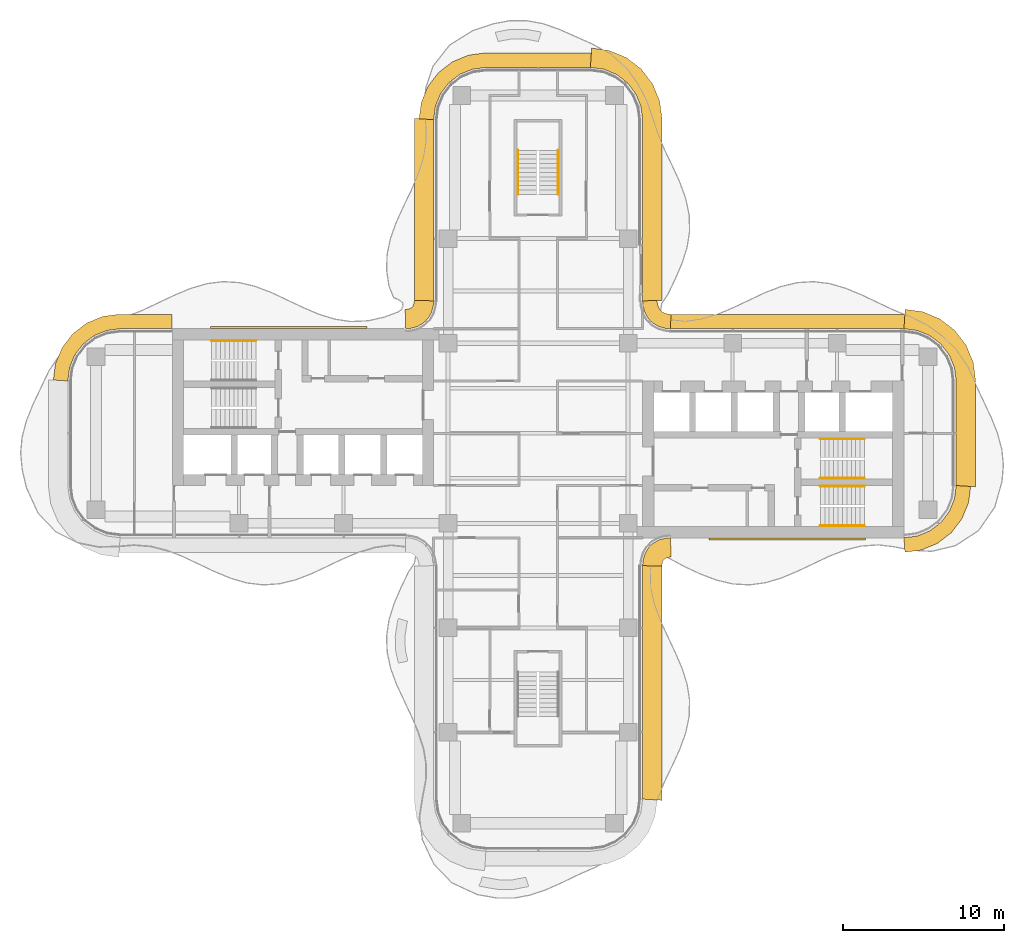
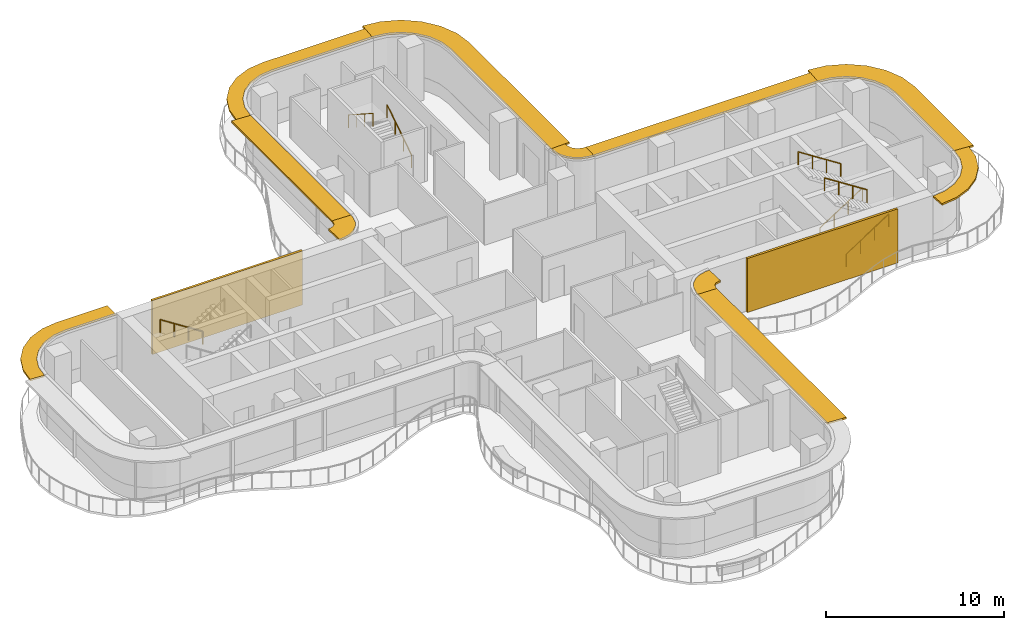
# One storey, part 18 of 18: 11 shading devices, 7 railings, 2 coverings.
"""IFC4 building model written with IfcOpenShell, lengths in metres."""

from ifc_helpers import new_model, si_unit, direction, frame, origin, origin_2d, place, context, subcontext, project, spatial, polyline, circle, outline, extrude, source, transform, mapped, material, layer, layer_set, type_object, element, save


model = new_model("IFC4")

# Units and contexts
model_context = context("Model", 3, precision=1e-05, world=origin(), true_north=direction((0.0, 1.0)))
body_context = subcontext(model_context, "Body", "Model", "MODEL_VIEW")
ifc_project = project(units=[si_unit("LENGTHUNIT", "METRE"), si_unit("AREAUNIT", "SQUARE_METRE"), si_unit("VOLUMEUNIT", "CUBIC_METRE"), si_unit("PLANEANGLEUNIT", "RADIAN"), si_unit("MASSUNIT", "GRAM", prefix="KILO")], contexts=[model_context])

# Site, building, storey
site_placement = place(None, origin())
site = spatial("IfcSite", under=ifc_project, at=site_placement, CompositionType="ELEMENT")
building_placement = place(site_placement, origin())
building = spatial("IfcBuilding", under=site, at=building_placement, Name="Trellis Farm Tower", CompositionType="ELEMENT")
storey_placement = place(building_placement, frame((0.0, 0.0, 224.60009765625)))
storey = spatial("IfcBuildingStorey", under=building, at=storey_placement, Name="L49", CompositionType="ELEMENT", Elevation=224.60009765625)

# Railings
ifc_material_1 = material(Name="Stainless steel", Category="steel")
railing_type = type_object("IfcRailingType", Name="STAIR HANDRAIL 900", PredefinedType="HANDRAIL", material=ifc_material_1)
shared_shape_1 = source(origin(), body_context, "Body", "SweptSolid", [
    extrude(circle(Radius=0.02392578125, at=origin_2d()), frame((0.0, 0.0, 0.8759765625), z_axis=(0.0, 0.840503830235, 0.541805602924), x_axis=(-1.0, 0.0, 0.0)), (0.0, 0.0, 1.0), 3.271728515625),
    extrude(circle(Radius=0.02099609375, at=origin_2d()), origin(), (0.0, 0.0, 1.0), 0.851806640625),
    extrude(circle(Radius=0.02099609375, at=origin_2d()), frame((0.0, 0.916748046875, 0.5908203125)), (0.0, 0.0, 1.0), 0.851806640625),
    extrude(circle(Radius=0.02099609375, at=origin_2d()), frame((0.0, 1.833251953125, 1.181884765625)), (0.0, 0.0, 1.0), 0.851806640625),
    extrude(circle(Radius=0.02099609375, at=origin_2d()), frame((0.0, 2.75, 1.772705078125)), (0.0, 0.0, 1.0), 0.851806640625),
])
railing_1_placement = place(storey_placement, frame((1.25, 14.85009765625, 0.17724609375)))
element("IfcRailing", 1, at=railing_1_placement, inside=storey, type_object=railing_type, Name="Stair handrail", PredefinedType="HANDRAIL", context=body_context, shape_type="MappedRepresentation", body=[
    mapped(shared_shape_1, transform((0.0, 0.0, 0.0))),
])
shared_shape_2 = source(origin(), body_context, "Body", "SweptSolid", [
    extrude(circle(Radius=0.02392578125, at=origin_2d()), frame((0.0, 0.0, 0.8759765625), z_axis=(0.0, -0.840503830235, 0.541805602924), x_axis=(1.0, 0.0, 0.0)), (0.0, 0.0, 1.0), 3.271728515625),
    extrude(circle(Radius=0.02099609375, at=origin_2d()), origin(), (0.0, 0.0, 1.0), 0.851806640625),
    extrude(circle(Radius=0.02099609375, at=origin_2d()), frame((0.0, -0.916748046875, 0.5908203125)), (0.0, 0.0, 1.0), 0.851806640625),
    extrude(circle(Radius=0.02099609375, at=origin_2d()), frame((0.0, -1.833251953125, 1.181884765625)), (0.0, 0.0, 1.0), 0.851806640625),
    extrude(circle(Radius=0.02099609375, at=origin_2d()), frame((0.0, -2.75, 1.772705078125)), (0.0, 0.0, 1.0), 0.851806640625),
])
railing_2_placement = place(storey_placement, frame((-1.25, 17.60009765625, 2.127197265625)))
element("IfcRailing", 2, at=railing_2_placement, inside=storey, type_object=railing_type, Name="Stair handrail", PredefinedType="HANDRAIL", context=body_context, shape_type="MappedRepresentation", body=[
    mapped(shared_shape_2, transform((0.0, 0.0, 0.0))),
])
shared_shape_3 = source(origin(), body_context, "Body", "SweptSolid", [
    extrude(circle(Radius=0.02392578125, at=origin_2d()), frame((0.0, 0.0, 0.8759765625), z_axis=(0.840503830235, 0.0, 0.541805602924), x_axis=(0.0, 1.0, 0.0)), (0.0, 0.0, 1.0), 3.271728515625),
    extrude(circle(Radius=0.02099609375, at=origin_2d()), origin(), (0.0, 0.0, 1.0), 0.851806640625),
    extrude(circle(Radius=0.02099609375, at=origin_2d()), frame((0.916748046875, 0.0, 0.5908203125)), (0.0, 0.0, 1.0), 0.851806640625),
    extrude(circle(Radius=0.02099609375, at=origin_2d()), frame((1.833251953125, 0.0, 1.181884765625)), (0.0, 0.0, 1.0), 0.851806640625),
    extrude(circle(Radius=0.02099609375, at=origin_2d()), frame((2.75, 0.0, 1.772705078125)), (0.0, 0.0, 1.0), 0.851806640625),
])
for number, where, name in (
    (3, (17.550048828125, -5.75, 0.17724609375), "Stair handrail"),
    (4, (17.550048828125, -2.800048828125, 0.17724609375), "Stair handrail"),
):
    element("IfcRailing", number, at=place(storey_placement, frame(where)), inside=storey, type_object=railing_type, Name=name, PredefinedType="HANDRAIL", context=body_context, shape_type="MappedRepresentation", body=[
        mapped(shared_shape_3, transform((0.0, 0.0, 0.0))),
    ])
shared_shape_4 = source(origin(), body_context, "Body", "SweptSolid", [
    extrude(circle(Radius=0.02392578125, at=origin_2d()), frame((0.0, 0.0, 0.8759765625), z_axis=(-0.840503830235, 0.0, 0.541805602924), x_axis=(0.0, -1.0, 0.0)), (0.0, 0.0, 1.0), 3.271728515625),
    extrude(circle(Radius=0.02099609375, at=origin_2d()), origin(), (0.0, 0.0, 1.0), 0.851806640625),
    extrude(circle(Radius=0.02099609375, at=origin_2d()), frame((-0.916748046875, 0.0, 0.5908203125)), (0.0, 0.0, 1.0), 0.851806640625),
    extrude(circle(Radius=0.02099609375, at=origin_2d()), frame((-1.833251953125, 0.0, 1.181884765625)), (0.0, 0.0, 1.0), 0.851806640625),
    extrude(circle(Radius=0.02099609375, at=origin_2d()), frame((-2.75, 0.0, 1.772705078125)), (0.0, 0.0, 1.0), 0.851806640625),
])
for number, where, name in (
    (5, (20.300048828125, -3.300048828125, 2.127197265625), "Stair handrail"),
    (6, (20.300048828125, -0.35009765625, 2.127197265625), "Stair handrail"),
    (7, (-17.550048828125, 5.75, 0.17724609375), "Stair handrail"),
):
    element("IfcRailing", number, at=place(storey_placement, frame(where)), inside=storey, type_object=railing_type, Name=name, PredefinedType="HANDRAIL", context=body_context, shape_type="MappedRepresentation", body=[
        mapped(shared_shape_4, transform((0.0, 0.0, 0.0))),
    ])

# Shading devices
ifc_material_2 = material(Name="Aluminium extrusion 6063-T6", Category="aluminium")
ifc_layer_1 = layer(ifc_material_2, 0.1201171875)
ifc_layer_set_1 = layer_set([ifc_layer_1], Name="SUNSHADE BLADE 1200")
shading_device_type_1 = type_object("IfcShadingDeviceType", Name="SUNSHADE BLADE 1200", PredefinedType="USERDEFINED", material=ifc_layer_set_1)
shared_shape_5 = source(origin(), body_context, "Body", "SweptSolid", [
    extrude(outline(polyline([(7.699951171875, -22.82861328125), (7.699951171875, -8.270751953125), (6.5, -8.2314453125), (6.5, -22.75), (7.699951171875, -22.82861328125)])), origin(), (0.0, 0.0, 1.0), 0.1201171875),
])
placement_1 = place(storey_placement, frame((0.0, 0.0, 3.539794921875)))
element("IfcShadingDevice", 8, at=placement_1, inside=storey, type_object=shading_device_type_1, Name="SD2 005", ObjectType="SUNSHADE", PredefinedType="USERDEFINED", context=body_context, shape_type="MappedRepresentation", body=[
    mapped(shared_shape_5, transform((0.0, 0.0, 0.0))),
])
shared_shape_6 = source(origin(), body_context, "Body", "SweptSolid", [
    extrude(outline(polyline([(7.699951171875, -8.270751953125), (7.708740234375, -8.13720703125), (7.70703125, -8.150146484375), (7.7548828125, -7.9716796875), (7.80712890625, -7.881103515625), (7.881103515625, -7.80712890625), (7.9716796875, -7.7548828125), (8.150146484375, -7.70703125), (8.13720703125, -7.708740234375), (8.270751953125, -7.699951171875), (8.2314453125, -6.5), (8.01953125, -6.513916015625), (7.91552734375, -6.527587890625), (7.508544921875, -6.63671875), (7.144287109375, -6.846923828125), (6.846923828125, -7.144287109375), (6.63671875, -7.508544921875), (6.527587890625, -7.91552734375), (6.513916015625, -8.01953125), (6.5, -8.2314453125), (7.699951171875, -8.270751953125)])), origin(), (0.0, 0.0, 1.0), 0.1201171875),
])
element("IfcShadingDevice", 9, at=placement_1, inside=storey, type_object=shading_device_type_1, Name="SD2 006", ObjectType="SUNSHADE", PredefinedType="USERDEFINED", context=body_context, shape_type="MappedRepresentation", body=[
    mapped(shared_shape_6, transform((0.0, 0.0, 0.0))),
])
ifc_layer_2 = layer(ifc_material_2, 0.1201171875)
ifc_layer_set_2 = layer_set([ifc_layer_2], Name="SUNSHADE BLADE 900")
shading_device_type_2 = type_object("IfcShadingDeviceType", Name="SUNSHADE BLADE 900", PredefinedType="USERDEFINED", material=ifc_layer_set_2)
shared_shape_7 = source(origin(), body_context, "Body", "SweptSolid", [
    extrude(outline(polyline([(8.2607421875, 7.39990234375), (8.107666015625, 7.409912109375), (8.091552734375, 7.412109375), (7.85595703125, 7.475341796875), (7.697021484375, 7.567138671875), (7.567138671875, 7.697021484375), (7.475341796875, 7.85595703125), (7.412109375, 8.091552734375), (7.409912109375, 8.107666015625), (7.39990234375, 8.2607421875), (6.5, 8.2314453125), (6.513916015625, 8.01953125), (6.527587890625, 7.91552734375), (6.63671875, 7.508544921875), (6.846923828125, 7.144287109375), (7.144287109375, 6.846923828125), (7.508544921875, 6.63671875), (7.91552734375, 6.527587890625), (8.01953125, 6.513916015625), (8.2314453125, 6.5), (8.2607421875, 7.39990234375)])), origin(), (0.0, 0.0, 1.0), 0.1201171875),
])
element("IfcShadingDevice", 10, at=placement_1, inside=storey, type_object=shading_device_type_2, Name="SD1 010", ObjectType="SUNSHADE", PredefinedType="USERDEFINED", context=body_context, shape_type="MappedRepresentation", body=[
    mapped(shared_shape_7, transform((0.0, 0.0, 0.0))),
])
shared_shape_8 = source(origin(), body_context, "Body", "SweptSolid", [
    extrude(outline(polyline([(-7.699951171875, 8.270751953125), (-7.708740234375, 8.13720703125), (-7.70703125, 8.150146484375), (-7.7548828125, 7.9716796875), (-7.80712890625, 7.881103515625), (-7.881103515625, 7.80712890625), (-7.9716796875, 7.7548828125), (-8.150146484375, 7.70703125), (-8.13720703125, 7.708740234375), (-8.270751953125, 7.699951171875), (-8.2314453125, 6.5), (-8.01953125, 6.513916015625), (-7.91552734375, 6.527587890625), (-7.508544921875, 6.63671875), (-7.144287109375, 6.846923828125), (-6.846923828125, 7.144287109375), (-6.63671875, 7.508544921875), (-6.527587890625, 7.91552734375), (-6.513916015625, 8.01953125), (-6.5, 8.2314453125), (-7.699951171875, 8.270751953125)])), origin(), (0.0, 0.0, 1.0), 0.1201171875),
])
element("IfcShadingDevice", 11, at=placement_1, inside=storey, type_object=shading_device_type_1, Name="SD2 014", ObjectType="SUNSHADE", PredefinedType="USERDEFINED", context=body_context, shape_type="MappedRepresentation", body=[
    mapped(shared_shape_8, transform((0.0, 0.0, 0.0))),
])

# Covering
ifc_material_3 = material(Name="Perforated precast screen (cobogo)", Category="concrete")
ifc_layer_3 = layer(ifc_material_3, 0.14990234375)
ifc_layer_set_3 = layer_set([ifc_layer_3], Name="COBOGO SCREEN PANEL")
covering_type = type_object("IfcCoveringType", Name="COBOGO SCREEN PANEL", PredefinedType="USERDEFINED", material=ifc_layer_set_3)
shared_shape_9 = source(origin(), body_context, "Body", "SweptSolid", [
    extrude(outline(polyline([(-10.630615234375, 6.64990234375), (-20.380615234375, 6.64990234375), (-20.380615234375, 6.5), (-10.630615234375, 6.5), (-10.630615234375, 6.64990234375)])), origin(), (0.0, 0.0, 1.0), 3.699951171875),
])
placement_2 = place(storey_placement, origin())
element("IfcCovering", 12, at=placement_2, inside=storey, type_object=covering_type, Name="SC1 02", ObjectType="SCREEN", PredefinedType="USERDEFINED", context=body_context, shape_type="MappedRepresentation", body=[
    mapped(shared_shape_9, transform((0.0, 0.0, 0.0))),
])

# Shading devices
shared_shape_10 = source(origin(), body_context, "Body", "SweptSolid", [
    extrude(outline(polyline([(-22.780029296875, 7.39990234375), (-26.05908203125, 7.39990234375), (-27.076171875, 7.26611328125), (-28.078857421875, 6.850830078125), (-28.93994140625, 6.18994140625), (-29.600830078125, 5.328857421875), (-30.01611328125, 4.326171875), (-30.14990234375, 3.30908203125), (-29.25, 3.25), (-29.13916015625, 4.091064453125), (-28.814697265625, 4.875), (-28.298095703125, 5.548095703125), (-27.625, 6.064697265625), (-26.841064453125, 6.38916015625), (-26.0, 6.5), (-22.780029296875, 6.5), (-22.780029296875, 7.39990234375)])), origin(), (0.0, 0.0, 1.0), 0.1201171875),
])
element("IfcShadingDevice", 13, at=placement_1, inside=storey, type_object=shading_device_type_2, Name="SD1 015", ObjectType="SUNSHADE", PredefinedType="USERDEFINED", context=body_context, shape_type="MappedRepresentation", body=[
    mapped(shared_shape_10, transform((0.0, 0.0, 0.0))),
])
shared_shape_11 = source(origin(), body_context, "Body", "SweptSolid", [
    extrude(outline(polyline([(7.699951171875, 8.270751953125), (7.699951171875, 19.57861328125), (7.558349609375, 20.654541015625), (7.11279296875, 21.730224609375), (6.404052734375, 22.654052734375), (5.480224609375, 23.36279296875), (4.404541015625, 23.808349609375), (3.32861328125, 23.949951171875), (3.25, 22.75), (4.091064453125, 22.63916015625), (4.875, 22.314697265625), (5.548095703125, 21.798095703125), (6.064697265625, 21.125), (6.38916015625, 20.341064453125), (6.5, 19.5), (6.5, 8.2314453125), (7.699951171875, 8.270751953125)])), origin(), (0.0, 0.0, 1.0), 0.1201171875),
])
element("IfcShadingDevice", 14, at=placement_1, inside=storey, type_object=shading_device_type_1, Name="SD2 011", ObjectType="SUNSHADE", PredefinedType="USERDEFINED", context=body_context, shape_type="MappedRepresentation", body=[
    mapped(shared_shape_11, transform((0.0, 0.0, 0.0))),
])
shared_shape_12 = source(origin(), body_context, "Body", "SweptSolid", [
    extrude(outline(polyline([(3.30908203125, 23.64990234375), (-3.30908203125, 23.64990234375), (-4.326171875, 23.51611328125), (-5.328857421875, 23.100830078125), (-6.18994140625, 22.43994140625), (-6.850830078125, 21.578857421875), (-7.26611328125, 20.576171875), (-7.39990234375, 19.55908203125), (-6.5, 19.5), (-6.38916015625, 20.341064453125), (-6.064697265625, 21.125), (-5.548095703125, 21.798095703125), (-4.875, 22.314697265625), (-4.091064453125, 22.63916015625), (-3.25, 22.75), (3.25, 22.75), (3.30908203125, 23.64990234375)])), origin(), (0.0, 0.0, 1.0), 0.1201171875),
])
element("IfcShadingDevice", 15, at=placement_1, inside=storey, type_object=shading_device_type_2, Name="SD1 012", ObjectType="SUNSHADE", PredefinedType="USERDEFINED", context=body_context, shape_type="MappedRepresentation", body=[
    mapped(shared_shape_12, transform((0.0, 0.0, 0.0))),
])
shared_shape_13 = source(origin(), body_context, "Body", "SweptSolid", [
    extrude(outline(polyline([(-7.699951171875, 19.57861328125), (-7.699951171875, 8.270751953125), (-6.5, 8.2314453125), (-6.5, 19.5), (-7.699951171875, 19.57861328125)])), origin(), (0.0, 0.0, 1.0), 0.1201171875),
])
element("IfcShadingDevice", 16, at=placement_1, inside=storey, type_object=shading_device_type_1, Name="SD2 013", ObjectType="SUNSHADE", PredefinedType="USERDEFINED", context=body_context, shape_type="MappedRepresentation", body=[
    mapped(shared_shape_13, transform((0.0, 0.0, 0.0))),
])
shared_shape_14 = source(origin(), body_context, "Body", "SweptSolid", [
    extrude(outline(polyline([(22.80908203125, -7.39990234375), (23.826171875, -7.26611328125), (24.828857421875, -6.850830078125), (25.68994140625, -6.18994140625), (26.350830078125, -5.328857421875), (26.76611328125, -4.326171875), (26.89990234375, -3.30908203125), (26.0, -3.25), (25.88916015625, -4.091064453125), (25.564697265625, -4.875), (25.048095703125, -5.548095703125), (24.375, -6.064697265625), (23.591064453125, -6.38916015625), (22.75, -6.5), (22.80908203125, -7.39990234375)])), origin(), (0.0, 0.0, 1.0), 0.1201171875),
])
element("IfcShadingDevice", 17, at=placement_1, inside=storey, type_object=shading_device_type_2, Name="SD1 007", ObjectType="SUNSHADE", PredefinedType="USERDEFINED", context=body_context, shape_type="MappedRepresentation", body=[
    mapped(shared_shape_14, transform((0.0, 0.0, 0.0))),
])
shared_shape_15 = source(origin(), body_context, "Body", "SweptSolid", [
    extrude(outline(polyline([(27.199951171875, -3.32861328125), (27.199951171875, 3.32861328125), (27.058349609375, 4.404541015625), (26.61279296875, 5.480224609375), (25.904052734375, 6.404052734375), (24.980224609375, 7.11279296875), (23.904541015625, 7.558349609375), (22.82861328125, 7.699951171875), (22.75, 6.5), (23.591064453125, 6.38916015625), (24.375, 6.064697265625), (25.048095703125, 5.548095703125), (25.564697265625, 4.875), (25.88916015625, 4.091064453125), (26.0, 3.25), (26.0, -3.25), (27.199951171875, -3.32861328125)])), origin(), (0.0, 0.0, 1.0), 0.1201171875),
])
element("IfcShadingDevice", 18, at=placement_1, inside=storey, type_object=shading_device_type_1, Name="SD2 008", ObjectType="SUNSHADE", PredefinedType="USERDEFINED", context=body_context, shape_type="MappedRepresentation", body=[
    mapped(shared_shape_15, transform((0.0, 0.0, 0.0))),
])
shared_shape_16 = source(origin(), body_context, "Body", "SweptSolid", [
    extrude(outline(polyline([(22.80908203125, 7.39990234375), (8.2607421875, 7.39990234375), (8.2314453125, 6.5), (22.75, 6.5), (22.80908203125, 7.39990234375)])), origin(), (0.0, 0.0, 1.0), 0.1201171875),
])
element("IfcShadingDevice", 19, at=placement_1, inside=storey, type_object=shading_device_type_2, Name="SD1 009", ObjectType="SUNSHADE", PredefinedType="USERDEFINED", context=body_context, shape_type="MappedRepresentation", body=[
    mapped(shared_shape_16, transform((0.0, 0.0, 0.0))),
])

# Covering
shared_shape_17 = source(origin(), body_context, "Body", "SweptSolid", [
    extrude(outline(polyline([(10.61572265625, -6.64990234375), (20.36572265625, -6.64990234375), (20.36572265625, -6.5), (10.61572265625, -6.5), (10.61572265625, -6.64990234375)])), origin(), (0.0, 0.0, 1.0), 3.699951171875),
])
element("IfcCovering", 20, at=placement_2, inside=storey, type_object=covering_type, Name="SC1 01", ObjectType="SCREEN", PredefinedType="USERDEFINED", context=body_context, shape_type="MappedRepresentation", body=[
    mapped(shared_shape_17, transform((0.0, 0.0, 0.0))),
])

save(model, "model.ifc")
